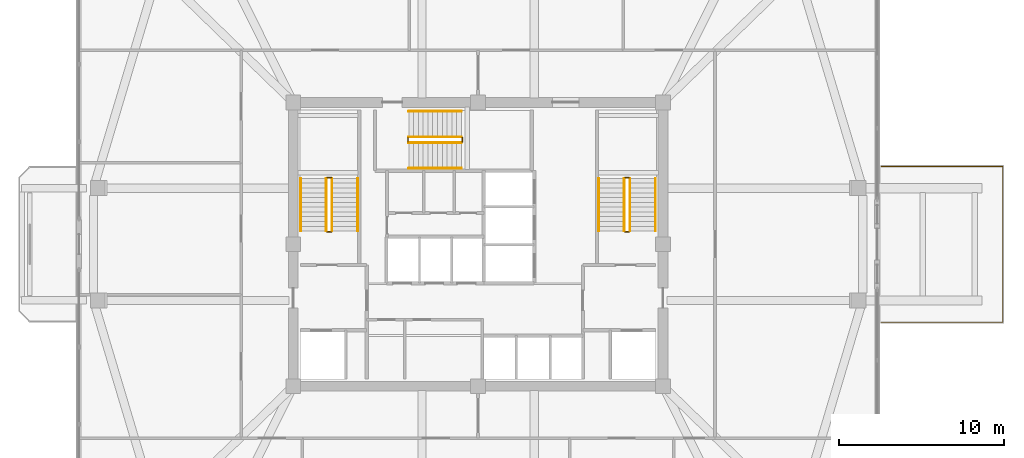
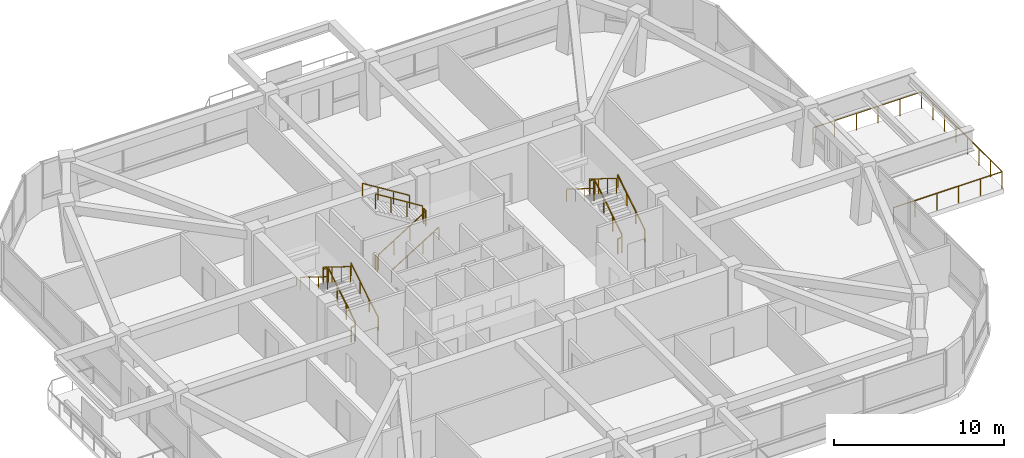
# One storey, part 12 of 13: 19 railings.
"""IFC4 building model written with IfcOpenShell, lengths in metres."""

from ifc_helpers import new_model, si_unit, derived_unit, direction, frame, origin, origin_2d, place, context, subcontext, project, spatial, rectangle, extrude, material, type_object, element, save


model = new_model("IFC4")

# Units and contexts
model_context = context("Model", 3, precision=1e-05, world=origin(), true_north=direction((0.0, 1.0)))
body_context = subcontext(model_context, "Body", "Model", "MODEL_VIEW")
ifc_project = project(units=[si_unit("LENGTHUNIT", "METRE"), si_unit("AREAUNIT", "SQUARE_METRE"), si_unit("VOLUMEUNIT", "CUBIC_METRE"), si_unit("PLANEANGLEUNIT", "RADIAN"), si_unit("MASSUNIT", "GRAM", prefix="KILO"), derived_unit("THERMALTRANSMITTANCEUNIT", [(si_unit("POWERUNIT", "WATT"), 1), (si_unit("LENGTHUNIT", "METRE"), -2), (si_unit("THERMODYNAMICTEMPERATUREUNIT", "KELVIN"), -1)])], contexts=[model_context])

# Site, building, storey
site_placement = place(None, origin())
site = spatial("IfcSite", under=ifc_project, at=site_placement, CompositionType="ELEMENT")
building_placement = place(site_placement, origin())
building = spatial("IfcBuilding", under=site, at=building_placement, Name="Koralith Skygarden Medical Center", CompositionType="ELEMENT")
storey_placement = place(building_placement, frame((0.0, 0.0, 188.4599609375)))
storey = spatial("IfcBuildingStorey", under=building, at=storey_placement, Name="L48", CompositionType="ELEMENT", Elevation=188.4599609375)

# Railings
ifc_material_1 = material(Name="Aluminium 6063-T6", Category="aluminium")
railing_type_1 = type_object("IfcRailingType", Name="Sky-Pool Laminated Perimeter Guardrail 1220", PredefinedType="GUARDRAIL", material=ifc_material_1)
railing_1_placement = place(storey_placement, frame((61.410888671875, 21.179931640625, 0.0)))
element("IfcRailing", 1, at=railing_1_placement, inside=storey, type_object=railing_type_1, Name="L48 Hydrotherapy Sky Pool Perimeter Guardrail", PredefinedType="GUARDRAIL", context=body_context, shape_type="SweptSolid", body=[
    extrude(rectangle(XDim=0.050048828125, YDim=0.050048828125, at=origin_2d()), frame((0.001953125, 0.0, 1.19482421875), z_axis=(1.0, 0.0, 0.0), x_axis=(0.0, 1.0, 0.0)), (0.0, 0.0, 1.0), 7.3662109375),
    extrude(rectangle(XDim=0.050048828125, YDim=0.050048828125, at=origin_2d()), frame((7.3701171875, 0.001953125, 1.19482421875), z_axis=(0.0, 1.0, 0.0), x_axis=(-1.0, 0.0, 0.0)), (0.0, 0.0, 1.0), 9.436279296875),
    extrude(rectangle(XDim=0.050048828125, YDim=0.050048828125, at=origin_2d()), frame((7.3681640625, 9.440185546875, 1.19482421875), z_axis=(-1.0, 0.0, 0.0), x_axis=(0.0, -1.0, 0.0)), (0.0, 0.0, 1.0), 7.3662109375),
    extrude(rectangle(XDim=0.0419921875, YDim=0.0419921875, at=origin_2d()), origin(), (0.0, 0.0, 1.0), 1.16796875),
    extrude(rectangle(XDim=0.0419921875, YDim=0.0419921875, at=origin_2d()), frame((1.47412109375, 0.0, 0.0)), (0.0, 0.0, 1.0), 1.16796875),
    extrude(rectangle(XDim=0.0419921875, YDim=0.0419921875, at=origin_2d()), frame((2.947998046875, 0.0, 0.0)), (0.0, 0.0, 1.0), 1.16796875),
    extrude(rectangle(XDim=0.0419921875, YDim=0.0419921875, at=origin_2d()), frame((4.422119140625, 0.0, 0.0)), (0.0, 0.0, 1.0), 1.16796875),
    extrude(rectangle(XDim=0.0419921875, YDim=0.0419921875, at=origin_2d()), frame((5.89599609375, 0.0, 0.0)), (0.0, 0.0, 1.0), 1.16796875),
    extrude(rectangle(XDim=0.0419921875, YDim=0.0419921875, at=origin_2d()), frame((7.3701171875, 0.0, 0.0)), (0.0, 0.0, 1.0), 1.16796875),
    extrude(rectangle(XDim=0.0419921875, YDim=0.0419921875, at=origin_2d()), frame((7.3701171875, 1.3486328125, 0.0)), (0.0, 0.0, 1.0), 1.16796875),
    extrude(rectangle(XDim=0.0419921875, YDim=0.0419921875, at=origin_2d()), frame((7.3701171875, 2.697265625, 0.0)), (0.0, 0.0, 1.0), 1.16796875),
    extrude(rectangle(XDim=0.0419921875, YDim=0.0419921875, at=origin_2d()), frame((7.3701171875, 4.0458984375, 0.0)), (0.0, 0.0, 1.0), 1.16796875),
    extrude(rectangle(XDim=0.0419921875, YDim=0.0419921875, at=origin_2d()), frame((7.3701171875, 5.394287109375, 0.0)), (0.0, 0.0, 1.0), 1.16796875),
    extrude(rectangle(XDim=0.0419921875, YDim=0.0419921875, at=origin_2d()), frame((7.3701171875, 6.742919921875, 0.0)), (0.0, 0.0, 1.0), 1.16796875),
    extrude(rectangle(XDim=0.0419921875, YDim=0.0419921875, at=origin_2d()), frame((7.3701171875, 8.091552734375, 0.0)), (0.0, 0.0, 1.0), 1.16796875),
    extrude(rectangle(XDim=0.0419921875, YDim=0.0419921875, at=origin_2d()), frame((7.3701171875, 9.440185546875, 0.0)), (0.0, 0.0, 1.0), 1.16796875),
    extrude(rectangle(XDim=0.0419921875, YDim=0.0419921875, at=origin_2d()), frame((5.89599609375, 9.440185546875, 0.0)), (0.0, 0.0, 1.0), 1.16796875),
    extrude(rectangle(XDim=0.0419921875, YDim=0.0419921875, at=origin_2d()), frame((4.422119140625, 9.440185546875, 0.0)), (0.0, 0.0, 1.0), 1.16796875),
    extrude(rectangle(XDim=0.0419921875, YDim=0.0419921875, at=origin_2d()), frame((2.947998046875, 9.440185546875, 0.0)), (0.0, 0.0, 1.0), 1.16796875),
    extrude(rectangle(XDim=0.0419921875, YDim=0.0419921875, at=origin_2d()), frame((1.47412109375, 9.440185546875, 0.0)), (0.0, 0.0, 1.0), 1.16796875),
    extrude(rectangle(XDim=0.0419921875, YDim=0.0419921875, at=origin_2d()), frame((0.0, 9.440185546875, 0.0)), (0.0, 0.0, 1.0), 1.16796875),
])
ifc_material_2 = material(Name="Steel ASTM A500 Grade C", Category="steel")
railing_type_2 = type_object("IfcRailingType", Name="Stair Flight Tubular Handrail 920", PredefinedType="HANDRAIL", material=ifc_material_2)
railing_2_placement = place(storey_placement, frame((29.699951171875, 26.699951171875, 0.179931640625)))
element("IfcRailing", 2, at=railing_2_placement, inside=storey, type_object=railing_type_2, Name="L48 ST1 stair handrail 1", PredefinedType="HANDRAIL", context=body_context, shape_type="SweptSolid", body=[
    extrude(rectangle(XDim=0.050048828125, YDim=0.050048828125, at=origin_2d()), frame((0.0, 0.001708984375, 0.89599609375), z_axis=(0.0, 0.849609019975, 0.527413038498), x_axis=(-1.0, 0.0, 0.0)), (0.0, 0.0, 1.0), 3.75048828125),
    extrude(rectangle(XDim=0.0419921875, YDim=0.0419921875, at=origin_2d()), origin(), (0.0, 0.0, 1.0), 0.867919921875),
    extrude(rectangle(XDim=0.0419921875, YDim=0.0419921875, at=origin_2d()), frame((0.0, 1.063232421875, 0.66015625)), (0.0, 0.0, 1.0), 0.867919921875),
    extrude(rectangle(XDim=0.0419921875, YDim=0.0419921875, at=origin_2d()), frame((0.0, 2.126708984375, 1.320068359375)), (0.0, 0.0, 1.0), 0.867919921875),
    extrude(rectangle(XDim=0.0419921875, YDim=0.0419921875, at=origin_2d()), frame((0.0, 3.18994140625, 1.980224609375)), (0.0, 0.0, 1.0), 0.867919921875),
])
railing_3_placement = place(storey_placement, frame((26.25, 29.889892578125, 2.340087890625)))
element("IfcRailing", 3, at=railing_3_placement, inside=storey, type_object=railing_type_2, Name="L48 ST1 stair handrail 2", PredefinedType="HANDRAIL", context=body_context, shape_type="SweptSolid", body=[
    extrude(rectangle(XDim=0.050048828125, YDim=0.050048828125, at=origin_2d()), frame((0.0, -0.001708984375, 0.89599609375), z_axis=(0.0, -0.849638156785, 0.527366099152), x_axis=(1.0, 0.0, 0.0)), (0.0, 0.0, 1.0), 3.75048828125),
    extrude(rectangle(XDim=0.0419921875, YDim=0.0419921875, at=origin_2d()), origin(), (0.0, 0.0, 1.0), 0.867919921875),
    extrude(rectangle(XDim=0.0419921875, YDim=0.0419921875, at=origin_2d()), frame((0.0, -1.063232421875, 0.659912109375)), (0.0, 0.0, 1.0), 0.867919921875),
    extrude(rectangle(XDim=0.0419921875, YDim=0.0419921875, at=origin_2d()), frame((0.0, -2.126708984375, 1.320068359375)), (0.0, 0.0, 1.0), 0.867919921875),
    extrude(rectangle(XDim=0.0419921875, YDim=0.0419921875, at=origin_2d()), frame((0.0, -3.18994140625, 1.97998046875)), (0.0, 0.0, 1.0), 0.867919921875),
])
railing_4_placement = place(storey_placement, frame((47.75, 26.699951171875, 0.179931640625)))
element("IfcRailing", 4, at=railing_4_placement, inside=storey, type_object=railing_type_2, Name="L48 ST2 stair handrail 1", PredefinedType="HANDRAIL", context=body_context, shape_type="SweptSolid", body=[
    extrude(rectangle(XDim=0.050048828125, YDim=0.050048828125, at=origin_2d()), frame((0.0, 0.001708984375, 0.89599609375), z_axis=(0.0, 0.849609019975, 0.527413038498), x_axis=(-1.0, 0.0, 0.0)), (0.0, 0.0, 1.0), 3.75048828125),
    extrude(rectangle(XDim=0.0419921875, YDim=0.0419921875, at=origin_2d()), origin(), (0.0, 0.0, 1.0), 0.867919921875),
    extrude(rectangle(XDim=0.0419921875, YDim=0.0419921875, at=origin_2d()), frame((0.0, 1.063232421875, 0.66015625)), (0.0, 0.0, 1.0), 0.867919921875),
    extrude(rectangle(XDim=0.0419921875, YDim=0.0419921875, at=origin_2d()), frame((0.0, 2.126708984375, 1.320068359375)), (0.0, 0.0, 1.0), 0.867919921875),
    extrude(rectangle(XDim=0.0419921875, YDim=0.0419921875, at=origin_2d()), frame((0.0, 3.18994140625, 1.980224609375)), (0.0, 0.0, 1.0), 0.867919921875),
])
railing_5_placement = place(storey_placement, frame((44.300048828125, 29.889892578125, 2.340087890625)))
element("IfcRailing", 5, at=railing_5_placement, inside=storey, type_object=railing_type_2, Name="L48 ST2 stair handrail 2", PredefinedType="HANDRAIL", context=body_context, shape_type="SweptSolid", body=[
    extrude(rectangle(XDim=0.050048828125, YDim=0.050048828125, at=origin_2d()), frame((0.0, -0.001708984375, 0.89599609375), z_axis=(0.0, -0.849638156785, 0.527366099152), x_axis=(1.0, 0.0, 0.0)), (0.0, 0.0, 1.0), 3.75048828125),
    extrude(rectangle(XDim=0.0419921875, YDim=0.0419921875, at=origin_2d()), origin(), (0.0, 0.0, 1.0), 0.867919921875),
    extrude(rectangle(XDim=0.0419921875, YDim=0.0419921875, at=origin_2d()), frame((0.0, -1.063232421875, 0.659912109375)), (0.0, 0.0, 1.0), 0.867919921875),
    extrude(rectangle(XDim=0.0419921875, YDim=0.0419921875, at=origin_2d()), frame((0.0, -2.126708984375, 1.320068359375)), (0.0, 0.0, 1.0), 0.867919921875),
    extrude(rectangle(XDim=0.0419921875, YDim=0.0419921875, at=origin_2d()), frame((0.0, -3.18994140625, 1.97998046875)), (0.0, 0.0, 1.0), 0.867919921875),
])
railing_6_placement = place(storey_placement, frame((32.800048828125, 30.5, 0.179931640625)))
element("IfcRailing", 6, at=railing_6_placement, inside=storey, type_object=railing_type_2, Name="L48 ST3 stair handrail 1", PredefinedType="HANDRAIL", context=body_context, shape_type="SweptSolid", body=[
    extrude(rectangle(XDim=0.050048828125, YDim=0.050048828125, at=origin_2d()), frame((0.001708984375, 0.0, 0.89599609375), z_axis=(0.849609019975, 0.0, 0.527413038498), x_axis=(0.0, 1.0, 0.0)), (0.0, 0.0, 1.0), 3.75048828125),
    extrude(rectangle(XDim=0.0419921875, YDim=0.0419921875, at=origin_2d()), origin(), (0.0, 0.0, 1.0), 0.867919921875),
    extrude(rectangle(XDim=0.0419921875, YDim=0.0419921875, at=origin_2d()), frame((1.063232421875, 0.0, 0.66015625)), (0.0, 0.0, 1.0), 0.867919921875),
    extrude(rectangle(XDim=0.0419921875, YDim=0.0419921875, at=origin_2d()), frame((2.126708984375, 0.0, 1.320068359375)), (0.0, 0.0, 1.0), 0.867919921875),
    extrude(rectangle(XDim=0.0419921875, YDim=0.0419921875, at=origin_2d()), frame((3.18994140625, 0.0, 1.980224609375)), (0.0, 0.0, 1.0), 0.867919921875),
])
railing_7_placement = place(storey_placement, frame((35.989990234375, 33.949951171875, 2.340087890625)))
element("IfcRailing", 7, at=railing_7_placement, inside=storey, type_object=railing_type_2, Name="L48 ST3 stair handrail 2", PredefinedType="HANDRAIL", context=body_context, shape_type="SweptSolid", body=[
    extrude(rectangle(XDim=0.050048828125, YDim=0.050048828125, at=origin_2d()), frame((-0.001708984375, 0.0, 0.89599609375), z_axis=(-0.849638156785, 0.0, 0.527366099152), x_axis=(0.0, -1.0, 0.0)), (0.0, 0.0, 1.0), 3.75048828125),
    extrude(rectangle(XDim=0.0419921875, YDim=0.0419921875, at=origin_2d()), origin(), (0.0, 0.0, 1.0), 0.867919921875),
    extrude(rectangle(XDim=0.0419921875, YDim=0.0419921875, at=origin_2d()), frame((-1.063232421875, 0.0, 0.659912109375)), (0.0, 0.0, 1.0), 0.867919921875),
    extrude(rectangle(XDim=0.0419921875, YDim=0.0419921875, at=origin_2d()), frame((-2.126708984375, 0.0, 1.320068359375)), (0.0, 0.0, 1.0), 0.867919921875),
    extrude(rectangle(XDim=0.0419921875, YDim=0.0419921875, at=origin_2d()), frame((-3.18994140625, 0.0, 1.97998046875)), (0.0, 0.0, 1.0), 0.867919921875),
])
railing_type_3 = type_object("IfcRailingType", Name="Stair Well Safety Guardrail 1100", PredefinedType="GUARDRAIL", material=ifc_material_2)
railing_8_placement = place(storey_placement, frame((28.14990234375, 26.699951171875, 0.179931640625)))
element("IfcRailing", 8, at=railing_8_placement, inside=storey, type_object=railing_type_3, Name="L48 ST1 stair guard 1", PredefinedType="GUARDRAIL", context=body_context, shape_type="SweptSolid", body=[
    extrude(rectangle(XDim=0.050048828125, YDim=0.050048828125, at=origin_2d()), frame((0.0, 0.001708984375, 1.076171875), z_axis=(0.0, 0.849609019975, 0.527413038498), x_axis=(-1.0, 0.0, 0.0)), (0.0, 0.0, 1.0), 3.75048828125),
    extrude(rectangle(XDim=0.0419921875, YDim=0.0419921875, at=origin_2d()), origin(), (0.0, 0.0, 1.0), 1.048095703125),
    extrude(rectangle(XDim=0.0419921875, YDim=0.0419921875, at=origin_2d()), frame((0.0, 1.063232421875, 0.66015625)), (0.0, 0.0, 1.0), 1.048095703125),
    extrude(rectangle(XDim=0.0419921875, YDim=0.0419921875, at=origin_2d()), frame((0.0, 2.126708984375, 1.320068359375)), (0.0, 0.0, 1.0), 1.048095703125),
    extrude(rectangle(XDim=0.0419921875, YDim=0.0419921875, at=origin_2d()), frame((0.0, 3.18994140625, 1.980224609375)), (0.0, 0.0, 1.0), 1.048095703125),
])
railing_9_placement = place(storey_placement, frame((28.10009765625, 29.93994140625, 2.16015625)))
element("IfcRailing", 9, at=railing_9_placement, inside=storey, type_object=railing_type_3, Name="L48 ST1 stair guard 2", PredefinedType="GUARDRAIL", context=body_context, shape_type="SweptSolid", body=[
    extrude(rectangle(XDim=0.050048828125, YDim=0.050048828125, at=origin_2d()), frame((-0.001953125, 0.0, 1.0751953125), z_axis=(-1.0, 0.0, 0.0), x_axis=(0.0, -1.0, 0.0)), (0.0, 0.0, 1.0), 0.24609375),
    extrude(rectangle(XDim=0.0419921875, YDim=0.0419921875, at=origin_2d()), origin(), (0.0, 0.0, 1.0), 1.048095703125),
    extrude(rectangle(XDim=0.0419921875, YDim=0.0419921875, at=origin_2d()), frame((-0.25, 0.0, 0.0)), (0.0, 0.0, 1.0), 1.048095703125),
])
railing_10_placement = place(storey_placement, frame((27.800048828125, 29.889892578125, 2.340087890625)))
element("IfcRailing", 10, at=railing_10_placement, inside=storey, type_object=railing_type_3, Name="L48 ST1 stair guard 3", PredefinedType="GUARDRAIL", context=body_context, shape_type="SweptSolid", body=[
    extrude(rectangle(XDim=0.050048828125, YDim=0.050048828125, at=origin_2d()), frame((0.0, -0.001708984375, 1.076171875), z_axis=(0.0, -0.849638156785, 0.527366099152), x_axis=(1.0, 0.0, 0.0)), (0.0, 0.0, 1.0), 3.75048828125),
    extrude(rectangle(XDim=0.0419921875, YDim=0.0419921875, at=origin_2d()), origin(), (0.0, 0.0, 1.0), 1.048095703125),
    extrude(rectangle(XDim=0.0419921875, YDim=0.0419921875, at=origin_2d()), frame((0.0, -1.063232421875, 0.659912109375)), (0.0, 0.0, 1.0), 1.048095703125),
    extrude(rectangle(XDim=0.0419921875, YDim=0.0419921875, at=origin_2d()), frame((0.0, -2.126708984375, 1.320068359375)), (0.0, 0.0, 1.0), 1.048095703125),
    extrude(rectangle(XDim=0.0419921875, YDim=0.0419921875, at=origin_2d()), frame((0.0, -3.18994140625, 1.97998046875)), (0.0, 0.0, 1.0), 1.048095703125),
])
railing_11_placement = place(storey_placement, frame((28.10009765625, 26.64990234375, 0.0)))
element("IfcRailing", 11, at=railing_11_placement, inside=storey, type_object=railing_type_3, Name="L48 ST1 stair guard 4", PredefinedType="GUARDRAIL", context=body_context, shape_type="SweptSolid", body=[
    extrude(rectangle(XDim=0.050048828125, YDim=0.050048828125, at=origin_2d()), frame((-0.001953125, 0.0, 1.0751953125), z_axis=(-1.0, 0.0, 0.0), x_axis=(0.0, -1.0, 0.0)), (0.0, 0.0, 1.0), 0.24609375),
    extrude(rectangle(XDim=0.0419921875, YDim=0.0419921875, at=origin_2d()), origin(), (0.0, 0.0, 1.0), 1.048095703125),
    extrude(rectangle(XDim=0.0419921875, YDim=0.0419921875, at=origin_2d()), frame((-0.25, 0.0, 0.0)), (0.0, 0.0, 1.0), 1.048095703125),
])
railing_12_placement = place(storey_placement, frame((46.199951171875, 26.699951171875, 0.179931640625)))
element("IfcRailing", 12, at=railing_12_placement, inside=storey, type_object=railing_type_3, Name="L48 ST2 stair guard 1", PredefinedType="GUARDRAIL", context=body_context, shape_type="SweptSolid", body=[
    extrude(rectangle(XDim=0.050048828125, YDim=0.050048828125, at=origin_2d()), frame((0.0, 0.001708984375, 1.076171875), z_axis=(0.0, 0.849609019975, 0.527413038498), x_axis=(-1.0, 0.0, 0.0)), (0.0, 0.0, 1.0), 3.75048828125),
    extrude(rectangle(XDim=0.0419921875, YDim=0.0419921875, at=origin_2d()), origin(), (0.0, 0.0, 1.0), 1.048095703125),
    extrude(rectangle(XDim=0.0419921875, YDim=0.0419921875, at=origin_2d()), frame((0.0, 1.063232421875, 0.66015625)), (0.0, 0.0, 1.0), 1.048095703125),
    extrude(rectangle(XDim=0.0419921875, YDim=0.0419921875, at=origin_2d()), frame((0.0, 2.126708984375, 1.320068359375)), (0.0, 0.0, 1.0), 1.048095703125),
    extrude(rectangle(XDim=0.0419921875, YDim=0.0419921875, at=origin_2d()), frame((0.0, 3.18994140625, 1.980224609375)), (0.0, 0.0, 1.0), 1.048095703125),
])
railing_13_placement = place(storey_placement, frame((46.14990234375, 29.93994140625, 2.16015625)))
element("IfcRailing", 13, at=railing_13_placement, inside=storey, type_object=railing_type_3, Name="L48 ST2 stair guard 2", PredefinedType="GUARDRAIL", context=body_context, shape_type="SweptSolid", body=[
    extrude(rectangle(XDim=0.050048828125, YDim=0.050048828125, at=origin_2d()), frame((-0.001953125, 0.0, 1.0751953125), z_axis=(-1.0, 0.0, 0.0), x_axis=(0.0, -1.0, 0.0)), (0.0, 0.0, 1.0), 0.24609375),
    extrude(rectangle(XDim=0.0419921875, YDim=0.0419921875, at=origin_2d()), origin(), (0.0, 0.0, 1.0), 1.048095703125),
    extrude(rectangle(XDim=0.0419921875, YDim=0.0419921875, at=origin_2d()), frame((-0.25, 0.0, 0.0)), (0.0, 0.0, 1.0), 1.048095703125),
])
railing_14_placement = place(storey_placement, frame((45.85009765625, 29.889892578125, 2.340087890625)))
element("IfcRailing", 14, at=railing_14_placement, inside=storey, type_object=railing_type_3, Name="L48 ST2 stair guard 3", PredefinedType="GUARDRAIL", context=body_context, shape_type="SweptSolid", body=[
    extrude(rectangle(XDim=0.050048828125, YDim=0.050048828125, at=origin_2d()), frame((0.0, -0.001708984375, 1.076171875), z_axis=(0.0, -0.849638156785, 0.527366099152), x_axis=(1.0, 0.0, 0.0)), (0.0, 0.0, 1.0), 3.75048828125),
    extrude(rectangle(XDim=0.0419921875, YDim=0.0419921875, at=origin_2d()), origin(), (0.0, 0.0, 1.0), 1.048095703125),
    extrude(rectangle(XDim=0.0419921875, YDim=0.0419921875, at=origin_2d()), frame((0.0, -1.063232421875, 0.659912109375)), (0.0, 0.0, 1.0), 1.048095703125),
    extrude(rectangle(XDim=0.0419921875, YDim=0.0419921875, at=origin_2d()), frame((0.0, -2.126708984375, 1.320068359375)), (0.0, 0.0, 1.0), 1.048095703125),
    extrude(rectangle(XDim=0.0419921875, YDim=0.0419921875, at=origin_2d()), frame((0.0, -3.18994140625, 1.97998046875)), (0.0, 0.0, 1.0), 1.048095703125),
])
railing_15_placement = place(storey_placement, frame((46.14990234375, 26.64990234375, 0.0)))
element("IfcRailing", 15, at=railing_15_placement, inside=storey, type_object=railing_type_3, Name="L48 ST2 stair guard 4", PredefinedType="GUARDRAIL", context=body_context, shape_type="SweptSolid", body=[
    extrude(rectangle(XDim=0.050048828125, YDim=0.050048828125, at=origin_2d()), frame((-0.001953125, 0.0, 1.0751953125), z_axis=(-1.0, 0.0, 0.0), x_axis=(0.0, -1.0, 0.0)), (0.0, 0.0, 1.0), 0.24609375),
    extrude(rectangle(XDim=0.0419921875, YDim=0.0419921875, at=origin_2d()), origin(), (0.0, 0.0, 1.0), 1.048095703125),
    extrude(rectangle(XDim=0.0419921875, YDim=0.0419921875, at=origin_2d()), frame((-0.25, 0.0, 0.0)), (0.0, 0.0, 1.0), 1.048095703125),
])
railing_16_placement = place(storey_placement, frame((32.800048828125, 32.050048828125, 0.179931640625)))
element("IfcRailing", 16, at=railing_16_placement, inside=storey, type_object=railing_type_3, Name="L48 ST3 stair guard 1", PredefinedType="GUARDRAIL", context=body_context, shape_type="SweptSolid", body=[
    extrude(rectangle(XDim=0.050048828125, YDim=0.050048828125, at=origin_2d()), frame((0.001708984375, 0.0, 1.076171875), z_axis=(0.849609019975, 0.0, 0.527413038498), x_axis=(0.0, 1.0, 0.0)), (0.0, 0.0, 1.0), 3.75048828125),
    extrude(rectangle(XDim=0.0419921875, YDim=0.0419921875, at=origin_2d()), origin(), (0.0, 0.0, 1.0), 1.048095703125),
    extrude(rectangle(XDim=0.0419921875, YDim=0.0419921875, at=origin_2d()), frame((1.063232421875, 0.0, 0.66015625)), (0.0, 0.0, 1.0), 1.048095703125),
    extrude(rectangle(XDim=0.0419921875, YDim=0.0419921875, at=origin_2d()), frame((2.126708984375, 0.0, 1.320068359375)), (0.0, 0.0, 1.0), 1.048095703125),
    extrude(rectangle(XDim=0.0419921875, YDim=0.0419921875, at=origin_2d()), frame((3.18994140625, 0.0, 1.980224609375)), (0.0, 0.0, 1.0), 1.048095703125),
])
railing_17_placement = place(storey_placement, frame((36.0400390625, 32.10009765625, 2.16015625)))
element("IfcRailing", 17, at=railing_17_placement, inside=storey, type_object=railing_type_3, Name="L48 ST3 stair guard 2", PredefinedType="GUARDRAIL", context=body_context, shape_type="SweptSolid", body=[
    extrude(rectangle(XDim=0.050048828125, YDim=0.050048828125, at=origin_2d()), frame((0.0, 0.001953125, 1.0751953125), z_axis=(0.0, 1.0, 0.0), x_axis=(-1.0, 0.0, 0.0)), (0.0, 0.0, 1.0), 0.24609375),
    extrude(rectangle(XDim=0.0419921875, YDim=0.0419921875, at=origin_2d()), origin(), (0.0, 0.0, 1.0), 1.048095703125),
    extrude(rectangle(XDim=0.0419921875, YDim=0.0419921875, at=origin_2d()), frame((0.0, 0.25, 0.0)), (0.0, 0.0, 1.0), 1.048095703125),
])
railing_18_placement = place(storey_placement, frame((35.989990234375, 32.39990234375, 2.340087890625)))
element("IfcRailing", 18, at=railing_18_placement, inside=storey, type_object=railing_type_3, Name="L48 ST3 stair guard 3", PredefinedType="GUARDRAIL", context=body_context, shape_type="SweptSolid", body=[
    extrude(rectangle(XDim=0.050048828125, YDim=0.050048828125, at=origin_2d()), frame((-0.001708984375, 0.0, 1.076171875), z_axis=(-0.849638156785, 0.0, 0.527366099152), x_axis=(0.0, -1.0, 0.0)), (0.0, 0.0, 1.0), 3.75048828125),
    extrude(rectangle(XDim=0.0419921875, YDim=0.0419921875, at=origin_2d()), origin(), (0.0, 0.0, 1.0), 1.048095703125),
    extrude(rectangle(XDim=0.0419921875, YDim=0.0419921875, at=origin_2d()), frame((-1.063232421875, 0.0, 0.659912109375)), (0.0, 0.0, 1.0), 1.048095703125),
    extrude(rectangle(XDim=0.0419921875, YDim=0.0419921875, at=origin_2d()), frame((-2.126708984375, 0.0, 1.320068359375)), (0.0, 0.0, 1.0), 1.048095703125),
    extrude(rectangle(XDim=0.0419921875, YDim=0.0419921875, at=origin_2d()), frame((-3.18994140625, 0.0, 1.97998046875)), (0.0, 0.0, 1.0), 1.048095703125),
])
railing_19_placement = place(storey_placement, frame((32.75, 32.10009765625, 0.0)))
element("IfcRailing", 19, at=railing_19_placement, inside=storey, type_object=railing_type_3, Name="L48 ST3 stair guard 4", PredefinedType="GUARDRAIL", context=body_context, shape_type="SweptSolid", body=[
    extrude(rectangle(XDim=0.050048828125, YDim=0.050048828125, at=origin_2d()), frame((0.0, 0.001953125, 1.0751953125), z_axis=(0.0, 1.0, 0.0), x_axis=(-1.0, 0.0, 0.0)), (0.0, 0.0, 1.0), 0.24609375),
    extrude(rectangle(XDim=0.0419921875, YDim=0.0419921875, at=origin_2d()), origin(), (0.0, 0.0, 1.0), 1.048095703125),
    extrude(rectangle(XDim=0.0419921875, YDim=0.0419921875, at=origin_2d()), frame((0.0, 0.25, 0.0)), (0.0, 0.0, 1.0), 1.048095703125),
])

save(model, "model.ifc")
